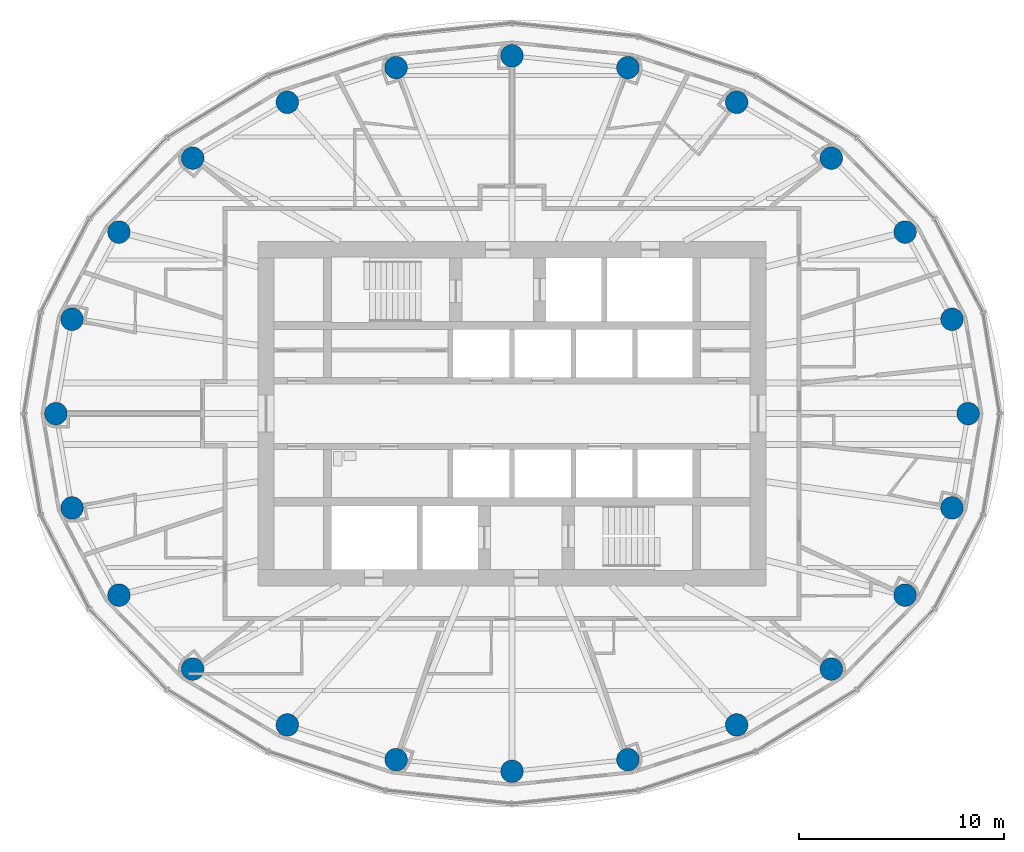
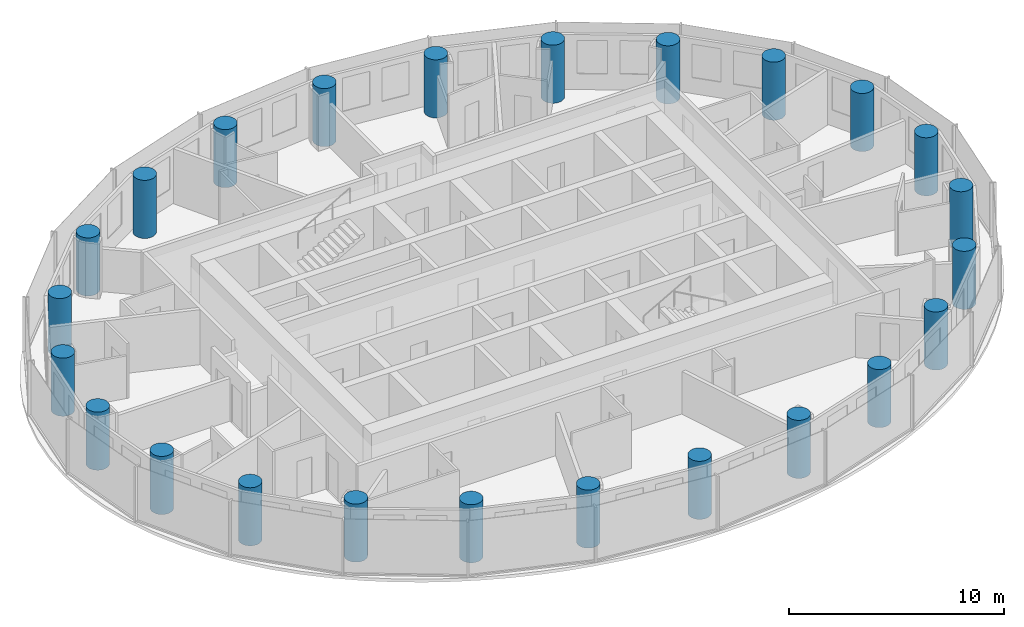
# One storey, part 1 of 16: 24 columns.
"""IFC4 building model written with IfcOpenShell, lengths in metres."""

import ifcopenshell
import ifcopenshell.guid

model = None  # the IFC model being written
_history = None  # IfcOwnerHistory: only IFC2X3 demands one
_inside = {}  # id of a spatial element -> (the spatial element, [elements in it])
_under = {}  # id of a project, library or spatial element -> (it, [spatial elements below it])
_declared = {}  # id of a project -> (the project, [libraries it declares])
_typed = {}  # id of a type object -> (the type object, [elements of that type])
_made_of = {}  # id of a material, layer set ... -> (it, [elements and type objects made of it])


def new_model(schema):
    """Start an empty IFC model of exactly this schema.

    Asked for "IFC4X3", IfcOpenShell would pick the latest addendum, in which some entities
    have other attributes; the version numbers below select the first issue.
    IFC2X3 requires an IfcOwnerHistory on every rooted entity: one is made here for all.
    """
    global model, _history
    if schema == "IFC4X3":
        model = ifcopenshell.file(schema_version=(4, 3, 0, 0))
    else:
        model = ifcopenshell.file(schema=schema)
    _inside.clear()
    _under.clear()
    _declared.clear()
    _typed.clear()
    _made_of.clear()
    _history = None
    if model.schema == "IFC2X3":
        org = make("IfcOrganization", Name="unknown")
        user = make(
            "IfcPersonAndOrganization",
            ThePerson=make("IfcPerson", FamilyName="unknown"),
            TheOrganization=org,
        )
        app = make(
            "IfcApplication",
            ApplicationDeveloper=org,
            Version="unknown",
            ApplicationFullName="unknown",
            ApplicationIdentifier="unknown",
        )
        _history = make(
            "IfcOwnerHistory",
            OwningUser=user,
            OwningApplication=app,
            ChangeAction="ADDED",
            CreationDate=0,
        )
    return model


def make(cls, **values):
    """One entity of the class cls with the attributes given. An attribute that is None is left unset."""
    return model.create_entity(
        cls, **{name: value for name, value in values.items() if value is not None}
    )


def rooted(cls, **values):
    """An entity with a GlobalId (a new one), such as an element, a storey or a relation."""
    return make(cls, GlobalId=ifcopenshell.guid.new(), OwnerHistory=_history, **values)


def si_unit(unit_type, name, prefix=None):
    """IfcSIUnit, for example si_unit("LENGTHUNIT", "METRE", prefix="MILLI")."""
    return make("IfcSIUnit", UnitType=unit_type, Prefix=prefix, Name=name)


def assignment(units):
    """IfcUnitAssignment: the units of a project."""
    return None if units is None else make("IfcUnitAssignment", Units=units)


def point(xyz):
    """IfcCartesianPoint."""
    return None if xyz is None else make("IfcCartesianPoint", Coordinates=xyz)


def direction(xyz):
    """IfcDirection."""
    return None if xyz is None else make("IfcDirection", DirectionRatios=xyz)


def frame(location, z_axis=None, x_axis=None):
    """IfcAxis2Placement3D, a coordinate frame: its origin and axes. An axis left out is left unset."""
    return make(
        "IfcAxis2Placement3D",
        Location=point(location),
        Axis=direction(z_axis),
        RefDirection=direction(x_axis),
    )


def frame_2d(location, x_axis=None):
    """IfcAxis2Placement2D, a coordinate frame in the plane: its origin and x axis."""
    return make(
        "IfcAxis2Placement2D", Location=point(location), RefDirection=direction(x_axis)
    )


def origin():
    """The frame at (0, 0, 0) with its axes left unset."""
    return frame((0.0, 0.0, 0.0))


def origin_2d():
    """The frame at (0, 0) in the plane with its x axis left unset."""
    return frame_2d((0.0, 0.0))


def place(relative_to, where):
    """IfcLocalPlacement: puts the frame where relative to a parent placement (None: the world)."""
    return make(
        "IfcLocalPlacement", PlacementRelTo=relative_to, RelativePlacement=where
    )


def context(
    kind, dimensions, precision=None, world=None, true_north=None, identifier=None
):
    """IfcGeometricRepresentationContext, for example the 3D "Model" context."""
    return make(
        "IfcGeometricRepresentationContext",
        ContextIdentifier=identifier,
        ContextType=kind,
        CoordinateSpaceDimension=dimensions,
        Precision=precision,
        WorldCoordinateSystem=world,
        TrueNorth=true_north,
    )


def subcontext(parent, identifier, kind, view, scale=None):
    """IfcGeometricRepresentationSubContext, for example "Body" below "Model"."""
    return make(
        "IfcGeometricRepresentationSubContext",
        ContextIdentifier=identifier,
        ContextType=kind,
        ParentContext=parent,
        TargetScale=scale,
        TargetView=view,
    )


def project(units=None, contexts=None):
    """IfcProject with its units and contexts."""
    return rooted(
        "IfcProject",
        Name="project",
        RepresentationContexts=contexts,
        UnitsInContext=assignment(units),
    )


def spatial(cls, under=None, at=None, **own):
    """A site, building, storey or space (cls), placed at a placement, below another one or the project."""
    s = rooted(cls, ObjectPlacement=at, **own)
    if under is not None:
        _under.setdefault(under.id(), (under, []))[1].append(s)
    return s


def profile(cls, at=None, kind="AREA", **sizes):
    """A parametric profile (cls). Its sizes go by their IFC names, for example OverallWidth=200.0."""
    return make(cls, ProfileType=kind, Position=at, **sizes)


def circle(**sizes):
    """IfcCircleProfileDef."""
    return profile("IfcCircleProfileDef", **sizes)


def extrude(swept, where, along, depth):
    """IfcExtrudedAreaSolid: the profile swept, set in the frame where, extruded along a direction by depth."""
    return make(
        "IfcExtrudedAreaSolid",
        SweptArea=swept,
        Position=where,
        ExtrudedDirection=direction(along),
        Depth=depth,
    )


def shape(context_of_items, identifier, shape_type, items):
    """IfcShapeRepresentation: the items that make up one representation, for example the "Body"."""
    return make(
        "IfcShapeRepresentation",
        ContextOfItems=context_of_items,
        RepresentationIdentifier=identifier,
        RepresentationType=shape_type,
        Items=items,
    )


def material(Name=None, Category=None):
    """IfcMaterial."""
    return make("IfcMaterial", Name=Name, Category=Category)


def material_profile(
    of_material, cross_section, Name=None, Category=None, Priority=None
):
    """IfcMaterialProfile: a cross section and its material."""
    return make(
        "IfcMaterialProfile",
        Name=Name,
        Material=of_material,
        Profile=cross_section,
        Priority=Priority,
        Category=Category,
    )


def profile_set(profiles, Name=None, composite=None):
    """IfcMaterialProfileSet."""
    return make(
        "IfcMaterialProfileSet",
        Name=Name,
        MaterialProfiles=profiles,
        CompositeProfile=composite,
    )


def made_of(thing, what):
    """Note that an element or type object is made of a material, layer set ...; save() writes the relation."""
    if what is not None:
        _made_of.setdefault(what.id(), (what, []))[1].append(thing)
    return thing


def type_object(cls, material=None, **own):
    """A type object (cls), such as IfcWallType, which elements share."""
    return made_of(rooted(cls, **own), material)


def element(
    cls,
    number,
    at=None,
    inside=None,
    cuts=None,
    type_object=None,
    material=None,
    context=None,
    identifier="Body",
    shape_type=None,
    held_by="IfcProductDefinitionShape",
    body=None,
    shapes=None,
    **own,
):
    """One element of the class cls, such as IfcWall. Its Tag is "e" and its number.

    at: its placement. inside: the storey or other place that contains it. cuts: it is an
    opening in that element (IfcRelVoidsElement). A single representation is given by context,
    identifier, shape_type and body (its items); several are given by shapes. held_by: the class
    of the entity that holds the representations. save() writes the other relations.
    """
    e = rooted(cls, Tag="e%d" % number, ObjectPlacement=at, **own)
    if body is not None:
        shapes = [shape(context, identifier, shape_type, body)]
    if shapes is not None:
        e.Representation = make(held_by, Representations=shapes)
    if inside is not None:
        _inside.setdefault(inside.id(), (inside, []))[1].append(e)
    if cuts is not None:
        rooted(
            "IfcRelVoidsElement", RelatingBuildingElement=cuts, RelatedOpeningElement=e
        )
    if type_object is not None:
        _typed.setdefault(type_object.id(), (type_object, []))[1].append(e)
    return made_of(e, material)


def aggregate(whole, parts):
    """IfcRelAggregates: a whole, such as a stair, and the parts it consists of."""
    return rooted("IfcRelAggregates", RelatingObject=whole, RelatedObjects=parts)


def save(model, path):
    """Write the relations noted so far, then the file.

    IfcRelAggregates (storeys below a building ...), IfcRelContainedInSpatialStructure (elements
    in a storey), IfcRelDefinesByType, IfcRelAssociatesMaterial and IfcRelDeclares: one each for
    every whole, place, type object, material and project.
    """
    for whole, parts in _under.values():
        aggregate(whole, parts)
    for where, things in _inside.values():
        rooted(
            "IfcRelContainedInSpatialStructure",
            RelatedElements=things,
            RelatingStructure=where,
        )
    for kind, things in _typed.values():
        rooted("IfcRelDefinesByType", RelatedObjects=things, RelatingType=kind)
    for what, things in _made_of.values():
        rooted("IfcRelAssociatesMaterial", RelatedObjects=things, RelatingMaterial=what)
    for by, libraries in _declared.values():
        rooted("IfcRelDeclares", RelatingContext=by, RelatedDefinitions=libraries)
    model.write(path)


model = new_model("IFC4")

# Units and contexts
model_context = context("Model", 3, precision=1e-05, world=origin(), true_north=direction((0.0, 1.0)))
body_context = subcontext(model_context, "Body", "Model", "MODEL_VIEW")
ifc_project = project(units=[si_unit("LENGTHUNIT", "METRE"), si_unit("AREAUNIT", "SQUARE_METRE"), si_unit("VOLUMEUNIT", "CUBIC_METRE"), si_unit("PLANEANGLEUNIT", "RADIAN"), si_unit("MASSUNIT", "GRAM", prefix="KILO")], contexts=[model_context])

# Site, building, storey
site_placement = place(None, origin())
site = spatial("IfcSite", under=ifc_project, at=site_placement, CompositionType="ELEMENT")
building_placement = place(site_placement, origin())
building = spatial("IfcBuilding", under=site, at=building_placement, Name="Hankou Lantern Tower", CompositionType="ELEMENT")
storey_placement = place(building_placement, frame((0.0, 0.0, 166.5)))
storey = spatial("IfcBuildingStorey", under=building, at=storey_placement, Name="L44", CompositionType="ELEMENT", Elevation=166.5)

# Columns
ifc_material = material(Name="Concrete C50", Category="concrete")
ifc_material_profile = material_profile(ifc_material, circle(Radius=0.550048828125, at=origin_2d()), Name="RC D1100")
ifc_profile_set = profile_set([ifc_material_profile], Name="Concrete C50")
column_type = type_object("IfcColumnType", Name="TC4 PERIMETER COLUMN RC D1100", PredefinedType="COLUMN", material=ifc_profile_set)
for number, where, z_axis, x_axis, name in (
    (1, (22.25, 0.0, 0.0), (0.0, 0.0, 1.0), (1.0, 0.0, 0.0), "Column R01 L44"),
    (2, (21.462646484375, 4.600830078125, 0.0), (0.0, 0.0, 1.0), (1.0, 0.0, 0.0), "Column R02 L44"),
    (3, (19.172119140625, 8.855224609375, 0.0), (0.0, 0.0, 1.0), (1.0, 0.0, 0.0), "Column R03 L44"),
    (4, (15.576171875, 12.4609375, 0.0), (0.0, 0.0, 1.0), (1.0, 0.0, 0.0), "Column R04 L44"),
    (5, (10.959716796875, 15.186279296875, 0.0), (0.0, 0.0, 1.0), (1.0, 0.0, 0.0), "Column R05 L44"),
    (6, (5.65283203125, 16.87744140625, 0.0), (0.0, 0.0, 1.0), (1.0, 0.0, 0.0), "Column R06 L44"),
    (7, (0.0, 17.449951171875, 0.0), (0.0, 0.0, 1.0), (1.0, 0.0, 0.0), "Column R07 L44"),
    (8, (-5.65283203125, 16.87744140625, 0.0), (0.0, 0.0, 1.0), (1.0, 0.0, 0.0), "Column R08 L44"),
    (9, (-10.959716796875, 15.186279296875, 0.0), (0.0, 0.0, 1.0), (1.0, 0.0, 0.0), "Column R09 L44"),
    (10, (-15.576171875, 12.4609375, 0.0), (0.0, 0.0, 1.0), (1.0, 0.0, 0.0), "Column R10 L44"),
    (11, (-19.172119140625, 8.855224609375, 0.0), (0.0, 0.0, 1.0), (1.0, 0.0, 0.0), "Column R11 L44"),
    (12, (-21.462646484375, 4.600830078125, 0.0), (0.0, 0.0, 1.0), (1.0, 0.0, 0.0), "Column R12 L44"),
    (13, (-22.25, 0.0, 0.0), (0.0, 0.0, 1.0), (1.0, 0.0, 0.0), "Column R13 L44"),
    (14, (-21.462646484375, -4.600830078125, 0.0), (0.0, 0.0, 1.0), (1.0, 0.0, 0.0), "Column R14 L44"),
    (15, (-19.172119140625, -8.855224609375, 0.0), (0.0, 0.0, 1.0), (1.0, 0.0, 0.0), "Column R15 L44"),
    (16, (-15.576171875, -12.4609375, 0.0), (0.0, 0.0, 1.0), (1.0, 0.0, 0.0), "Column R16 L44"),
    (17, (-10.959716796875, -15.186279296875, 0.0), (0.0, 0.0, 1.0), (1.0, 0.0, 0.0), "Column R17 L44"),
    (18, (-5.65283203125, -16.87744140625, 0.0), (0.0, 0.0, 1.0), (1.0, 0.0, 0.0), "Column R18 L44"),
    (19, (0.0, -17.449951171875, 0.0), (0.0, 0.0, 1.0), (1.0, 0.0, 0.0), "Column R19 L44"),
    (20, (5.65283203125, -16.87744140625, 0.0), (0.0, 0.0, 1.0), (1.0, 0.0, 0.0), "Column R20 L44"),
    (21, (10.959716796875, -15.186279296875, 0.0), (0.0, 0.0, 1.0), (1.0, 0.0, 0.0), "Column R21 L44"),
    (22, (15.576171875, -12.4609375, 0.0), (0.0, 0.0, 1.0), (1.0, 0.0, 0.0), "Column R22 L44"),
    (23, (19.172119140625, -8.855224609375, 0.0), (0.0, 0.0, 1.0), (1.0, 0.0, 0.0), "Column R23 L44"),
    (24, (21.462646484375, -4.600830078125, 0.0), (0.0, 0.0, 1.0), (1.0, 0.0, 0.0), "Column R24 L44"),
):
    element("IfcColumn", number, at=place(storey_placement, frame(where, z_axis=z_axis, x_axis=x_axis)), inside=storey, type_object=column_type, Name=name, PredefinedType="COLUMN", context=body_context, shape_type="SweptSolid", body=[
        extrude(circle(Radius=0.550048828125, at=origin_2d()), origin(), (0.0, 0.0, 1.0), 3.300048828125),
    ])

save(model, "model.ifc")
